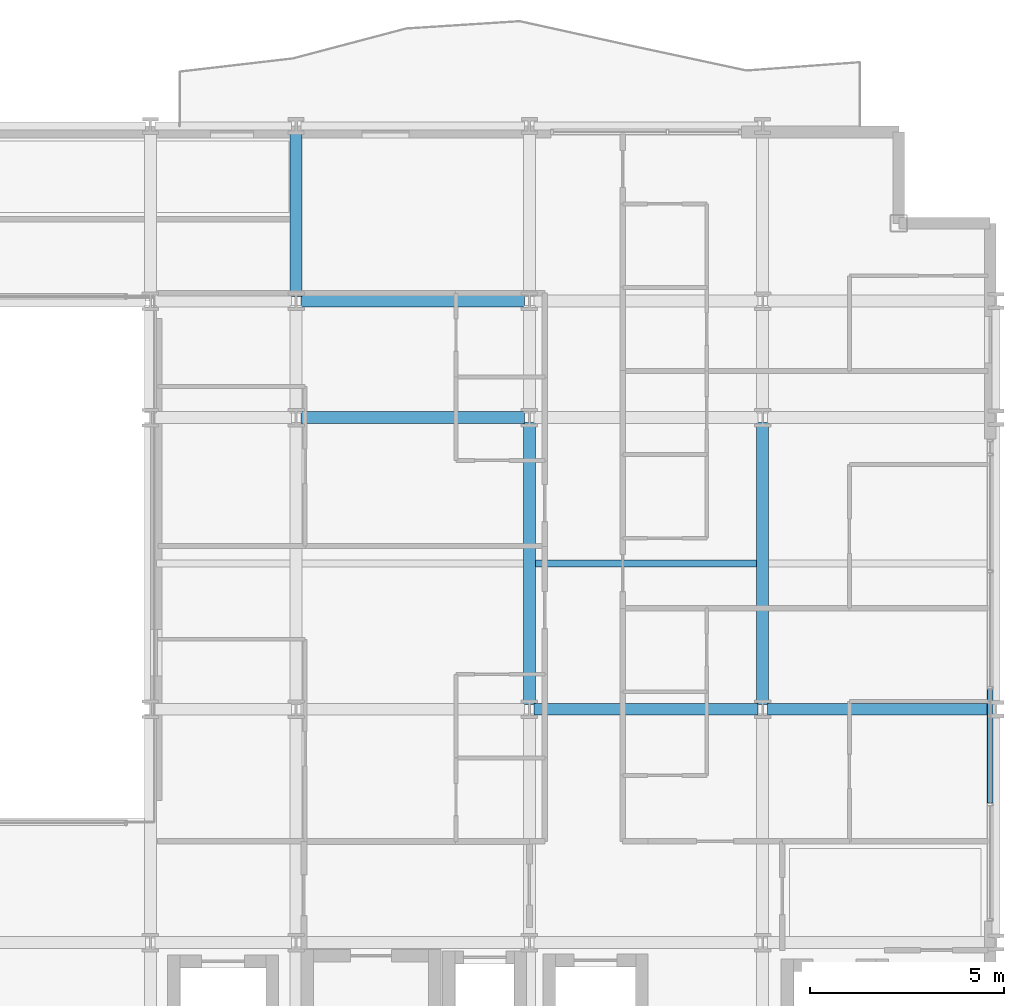
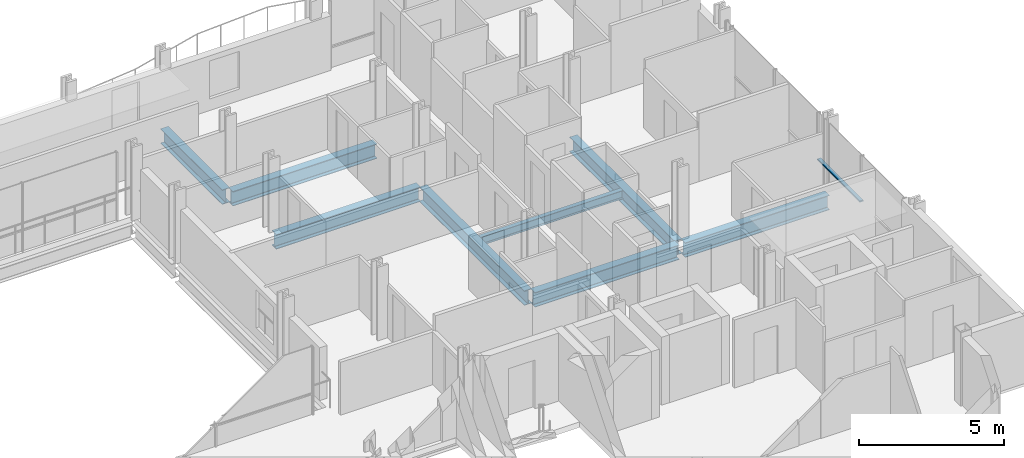
# One storey, part 18 of 40: 8 beams, 1 member, 1 element without a shape of its own.
"""IFC4 building model written with IfcOpenShell, lengths in metres."""

from ifc_helpers import new_model, si_unit, direction, frame, origin, origin_2d, place, context, subcontext, project, spatial, hollow_rectangle, i_section, extrude, material, layer, layer_set, material_profile, profile_set, type_object, element, aggregate, save


model = new_model("IFC4")

# Units and contexts
model_context = context("Model", 3, precision=1e-05, world=origin(), true_north=direction((0.0, 1.0)))
body_context = subcontext(model_context, "Body", "Model", "MODEL_VIEW")
ifc_project = project(units=[si_unit("LENGTHUNIT", "METRE"), si_unit("AREAUNIT", "SQUARE_METRE"), si_unit("VOLUMEUNIT", "CUBIC_METRE"), si_unit("PLANEANGLEUNIT", "RADIAN"), si_unit("MASSUNIT", "GRAM", prefix="KILO")], contexts=[model_context])

# Site, building, storey
site_placement = place(None, origin())
site = spatial("IfcSite", under=ifc_project, at=site_placement, CompositionType="ELEMENT")
building_placement = place(site_placement, origin())
building = spatial("IfcBuilding", under=site, at=building_placement, Name="Brevholm Reach", CompositionType="ELEMENT")
storey_placement = place(building_placement, frame((0.0, 0.0, 37.300048828125)))
storey = spatial("IfcBuildingStorey", under=building, at=storey_placement, Name="L09", CompositionType="ELEMENT", Elevation=37.300048828125)

# Beams
ifc_material_1 = material(Name="Structural Steel S355J2", Category="steel")
ifc_material_profile_1 = material_profile(ifc_material_1, i_section(OverallWidth=0.17138671875, OverallDepth=0.35498046875, WebThickness=0.00732421875, FlangeThickness=0.011474609375, FilletRadius=0.01025390625, at=origin_2d()), Name="UKB 356x171x51")
ifc_profile_set_1 = profile_set([ifc_material_profile_1], Name="Structural Steel S355J2")
beam_type_1 = type_object("IfcBeamType", Name="BM-B356", PredefinedType="BEAM", material=ifc_profile_set_1)
beam_1_placement = place(storey_placement, frame((48.153564453125, 19.75, -0.407470703125), z_axis=(1.0, 0.0, 0.0), x_axis=(0.0, 1.0, 0.0)))
element("IfcBeam", 1, at=beam_1_placement, inside=storey, type_object=beam_type_1, Name="L09 Composite Secondary Floor Beam", PredefinedType="BEAM", context=body_context, shape_type="SweptSolid", body=[
    extrude(i_section(OverallWidth=0.17138671875, OverallDepth=0.35498046875, WebThickness=0.00732421875, FlangeThickness=0.011474609375, FilletRadius=0.01025390625, at=origin_2d()), origin(), (0.0, 0.0, 1.0), 5.69287109375),
])
ifc_material_2 = material(Name="Structural Steel S355J2", Category="steel")
ifc_material_profile_2 = material_profile(ifc_material_2, i_section(OverallWidth=0.30712890625, OverallDepth=0.6201171875, WebThickness=0.01416015625, FlangeThickness=0.023681640625, FilletRadius=0.0166015625, at=origin_2d()), Name="UKB 610x305x179")
ifc_profile_set_2 = profile_set([ifc_material_profile_2], Name="Structural Steel S355J2")
beam_type_2 = type_object("IfcBeamType", Name="BM-UKB610H", PredefinedType="USERDEFINED", material=ifc_profile_set_2)
for number, where, z_axis, x_axis, name in (
    (2, (48.1201171875, 16.0, -0.5400390625), (1.0, 0.0, 0.0), (0.0, 1.0, 0.0), "L09 G-06 Framing Beam"),
    (3, (54.1201171875, 16.0, -0.5400390625), (1.0, 0.0, 0.0), (0.0, 1.0, 0.0), "L09 G-06 Framing Beam"),
    (4, (42.1201171875, 23.5, -0.5400390625), (1.0, 0.0, 0.0), (0.0, 1.0, 0.0), "L09 G-06 Framing Beam"),
    (5, (42.1201171875, 26.5, -0.5400390625), (1.0, 0.0, 0.0), (0.0, 1.0, 0.0), "L09 G-06 Framing Beam"),
):
    element("IfcBeam", number, at=place(storey_placement, frame(where, z_axis=z_axis, x_axis=x_axis)), inside=storey, type_object=beam_type_2, Name=name, ObjectType="GIRDER", PredefinedType="USERDEFINED", context=body_context, shape_type="SweptSolid", body=[
        extrude(i_section(OverallWidth=0.30712890625, OverallDepth=0.6201171875, WebThickness=0.01416015625, FlangeThickness=0.023681640625, FilletRadius=0.0166015625, at=origin_2d()), origin(), (0.0, 0.0, 1.0), 5.759765625),
    ])
beam_2_placement = place(storey_placement, frame((42.0, 26.6201171875, -0.5400390625), z_axis=(0.0, 1.0, 0.0), x_axis=(-1.0, 0.0, 0.0)))
element("IfcBeam", 6, at=beam_2_placement, inside=storey, type_object=beam_type_2, Name="L09 G-06 Framing Beam", ObjectType="GIRDER", PredefinedType="USERDEFINED", context=body_context, shape_type="SweptSolid", body=[
    extrude(i_section(OverallWidth=0.30712890625, OverallDepth=0.6201171875, WebThickness=0.01416015625, FlangeThickness=0.023681640625, FilletRadius=0.0166015625, at=origin_2d()), origin(), (0.0, 0.0, 1.0), 4.259765625),
])
for number, where, z_axis, x_axis, name in (
    (7, (48.0, 16.1201171875, -0.5400390625), (0.0, 1.0, 0.0), (-1.0, 0.0, 0.0), "L09 G-06 Framing Beam"),
    (8, (54.0, 16.1201171875, -0.5400390625), (0.0, 1.0, 0.0), (-1.0, 0.0, 0.0), "L09 G-06 Framing Beam"),
):
    element("IfcBeam", number, at=place(storey_placement, frame(where, z_axis=z_axis, x_axis=x_axis)), inside=storey, type_object=beam_type_2, Name=name, ObjectType="GIRDER", PredefinedType="USERDEFINED", context=body_context, shape_type="SweptSolid", body=[
        extrude(i_section(OverallWidth=0.30712890625, OverallDepth=0.6201171875, WebThickness=0.01416015625, FlangeThickness=0.023681640625, FilletRadius=0.0166015625, at=origin_2d()), origin(), (0.0, 0.0, 1.0), 7.259765625),
    ])

# Curtain wall, member
ifc_material_3 = material(Name="Dark Anodised Aluminium 6063-T6 and Solar-Control Glass", Category="aluminium")
ifc_layer = layer(ifc_material_3, 0.14990234375)
ifc_layer_set = layer_set([ifc_layer], Name="Dark Anodised Aluminium 6063-T6 and Solar-Control Glass")
curtain_wall_type = type_object("IfcCurtainWallType", Name="CW-01", PredefinedType="NOTDEFINED", material=ifc_layer_set)
curtain_wall_placement = place(storey_placement, origin())
curtain_wall = element("IfcCurtainWall", 9, at=curtain_wall_placement, inside=storey, type_object=curtain_wall_type, Name="L09 Curtain Wall CW-01", PredefinedType="NOTDEFINED")
ifc_material_4 = material(Name="Dark Anodised Aluminium 6063-T6", Category="aluminium")
ifc_material_profile_3 = material_profile(ifc_material_4, hollow_rectangle(XDim=0.06494140625, YDim=0.14990234375, WallThickness=0.0048828125, InnerFilletRadius=0.0048828125, OuterFilletRadius=0.010009765625, at=origin_2d()), Name="RHS 150x65x5")
ifc_profile_set_3 = profile_set([ifc_material_profile_3], Name="Dark Anodised Aluminium 6063-T6")
member_type = type_object("IfcMemberType", Name="CWT-150", PredefinedType="NOTDEFINED", material=ifc_profile_set_3)
member_placement = place(storey_placement, frame((59.85009765625, 13.58251953125, 0.89990234375), z_axis=(0.0, 1.0, 0.0), x_axis=(0.0, 0.0, 1.0)))
member = element("IfcMember", 10, at=member_placement, type_object=member_type, Name="CT-150 Transom 2.1", ObjectType="TRANSOM", PredefinedType="USERDEFINED", context=body_context, shape_type="SweptSolid", body=[
    extrude(hollow_rectangle(XDim=0.06494140625, YDim=0.14990234375, WallThickness=0.0048828125, InnerFilletRadius=0.0048828125, OuterFilletRadius=0.010009765625, at=origin_2d()), origin(), (0.0, 0.0, 1.0), 2.93505859375),
])
aggregate(curtain_wall, [member])

save(model, "model.ifc")
